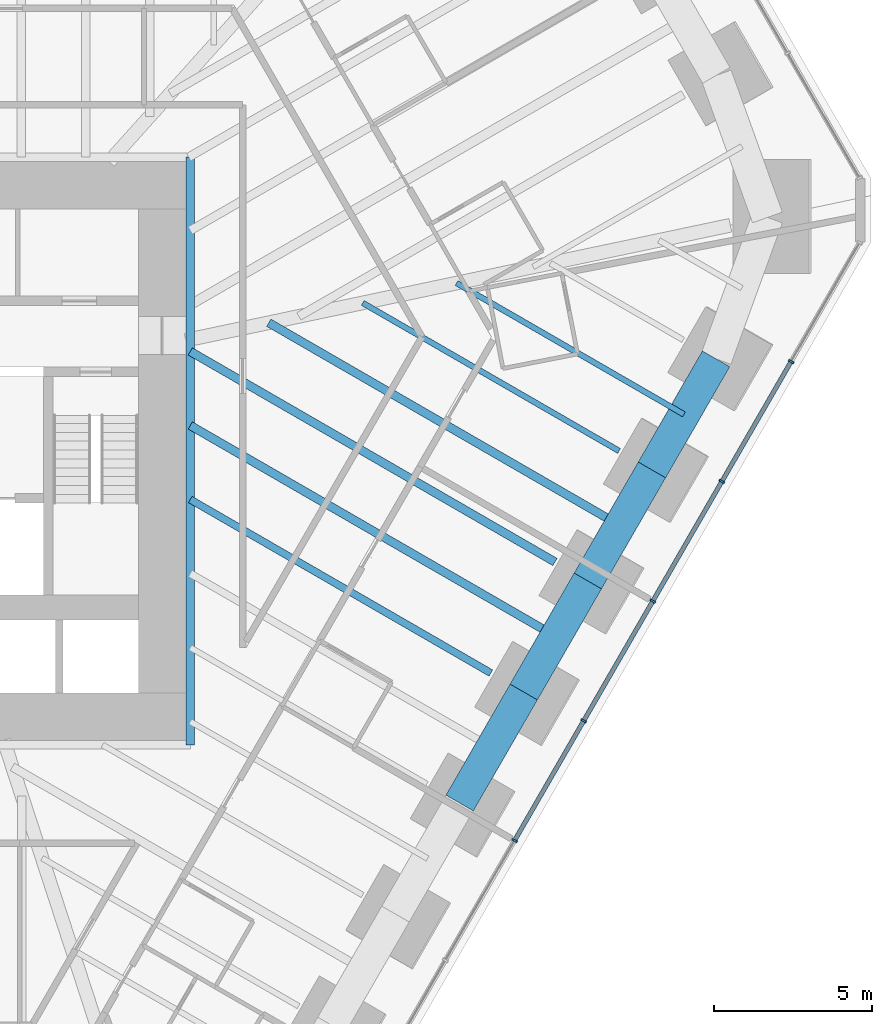
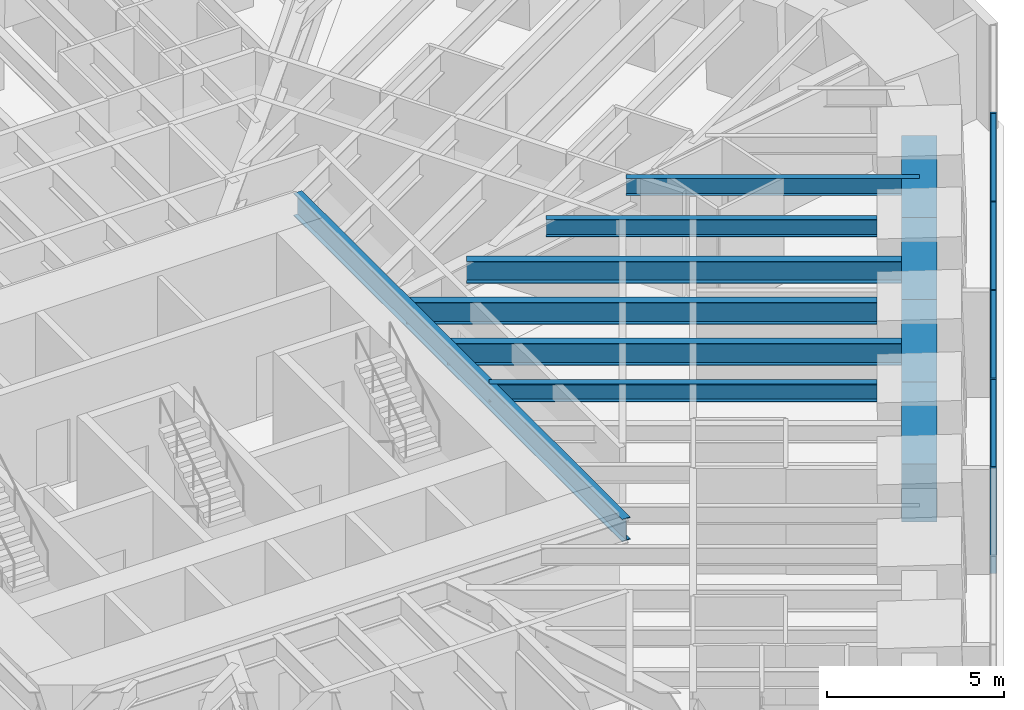
# One storey, part 6 of 17: 11 beams, 9 members, 1 element without a shape of its own.
"""IFC4 building model written with IfcOpenShell, lengths in metres."""

import ifcopenshell
import ifcopenshell.guid

model = None  # the IFC model being written
_history = None  # IfcOwnerHistory: only IFC2X3 demands one
_inside = {}  # id of a spatial element -> (the spatial element, [elements in it])
_under = {}  # id of a project, library or spatial element -> (it, [spatial elements below it])
_declared = {}  # id of a project -> (the project, [libraries it declares])
_typed = {}  # id of a type object -> (the type object, [elements of that type])
_made_of = {}  # id of a material, layer set ... -> (it, [elements and type objects made of it])


def new_model(schema):
    """Start an empty IFC model of exactly this schema.

    Asked for "IFC4X3", IfcOpenShell would pick the latest addendum, in which some entities
    have other attributes; the version numbers below select the first issue.
    IFC2X3 requires an IfcOwnerHistory on every rooted entity: one is made here for all.
    """
    global model, _history
    if schema == "IFC4X3":
        model = ifcopenshell.file(schema_version=(4, 3, 0, 0))
    else:
        model = ifcopenshell.file(schema=schema)
    _inside.clear()
    _under.clear()
    _declared.clear()
    _typed.clear()
    _made_of.clear()
    _history = None
    if model.schema == "IFC2X3":
        org = make("IfcOrganization", Name="unknown")
        user = make(
            "IfcPersonAndOrganization",
            ThePerson=make("IfcPerson", FamilyName="unknown"),
            TheOrganization=org,
        )
        app = make(
            "IfcApplication",
            ApplicationDeveloper=org,
            Version="unknown",
            ApplicationFullName="unknown",
            ApplicationIdentifier="unknown",
        )
        _history = make(
            "IfcOwnerHistory",
            OwningUser=user,
            OwningApplication=app,
            ChangeAction="ADDED",
            CreationDate=0,
        )
    return model


def make(cls, **values):
    """One entity of the class cls with the attributes given. An attribute that is None is left unset."""
    return model.create_entity(
        cls, **{name: value for name, value in values.items() if value is not None}
    )


def rooted(cls, **values):
    """An entity with a GlobalId (a new one), such as an element, a storey or a relation."""
    return make(cls, GlobalId=ifcopenshell.guid.new(), OwnerHistory=_history, **values)


def si_unit(unit_type, name, prefix=None):
    """IfcSIUnit, for example si_unit("LENGTHUNIT", "METRE", prefix="MILLI")."""
    return make("IfcSIUnit", UnitType=unit_type, Prefix=prefix, Name=name)


def assignment(units):
    """IfcUnitAssignment: the units of a project."""
    return None if units is None else make("IfcUnitAssignment", Units=units)


def point(xyz):
    """IfcCartesianPoint."""
    return None if xyz is None else make("IfcCartesianPoint", Coordinates=xyz)


def direction(xyz):
    """IfcDirection."""
    return None if xyz is None else make("IfcDirection", DirectionRatios=xyz)


def frame(location, z_axis=None, x_axis=None):
    """IfcAxis2Placement3D, a coordinate frame: its origin and axes. An axis left out is left unset."""
    return make(
        "IfcAxis2Placement3D",
        Location=point(location),
        Axis=direction(z_axis),
        RefDirection=direction(x_axis),
    )


def frame_2d(location, x_axis=None):
    """IfcAxis2Placement2D, a coordinate frame in the plane: its origin and x axis."""
    return make(
        "IfcAxis2Placement2D", Location=point(location), RefDirection=direction(x_axis)
    )


def origin():
    """The frame at (0, 0, 0) with its axes left unset."""
    return frame((0.0, 0.0, 0.0))


def origin_2d():
    """The frame at (0, 0) in the plane with its x axis left unset."""
    return frame_2d((0.0, 0.0))


def place(relative_to, where):
    """IfcLocalPlacement: puts the frame where relative to a parent placement (None: the world)."""
    return make(
        "IfcLocalPlacement", PlacementRelTo=relative_to, RelativePlacement=where
    )


def context(
    kind, dimensions, precision=None, world=None, true_north=None, identifier=None
):
    """IfcGeometricRepresentationContext, for example the 3D "Model" context."""
    return make(
        "IfcGeometricRepresentationContext",
        ContextIdentifier=identifier,
        ContextType=kind,
        CoordinateSpaceDimension=dimensions,
        Precision=precision,
        WorldCoordinateSystem=world,
        TrueNorth=true_north,
    )


def subcontext(parent, identifier, kind, view, scale=None):
    """IfcGeometricRepresentationSubContext, for example "Body" below "Model"."""
    return make(
        "IfcGeometricRepresentationSubContext",
        ContextIdentifier=identifier,
        ContextType=kind,
        ParentContext=parent,
        TargetScale=scale,
        TargetView=view,
    )


def project(units=None, contexts=None):
    """IfcProject with its units and contexts."""
    return rooted(
        "IfcProject",
        Name="project",
        RepresentationContexts=contexts,
        UnitsInContext=assignment(units),
    )


def spatial(cls, under=None, at=None, **own):
    """A site, building, storey or space (cls), placed at a placement, below another one or the project."""
    s = rooted(cls, ObjectPlacement=at, **own)
    if under is not None:
        _under.setdefault(under.id(), (under, []))[1].append(s)
    return s


def profile(cls, at=None, kind="AREA", **sizes):
    """A parametric profile (cls). Its sizes go by their IFC names, for example OverallWidth=200.0."""
    return make(cls, ProfileType=kind, Position=at, **sizes)


def rectangle(**sizes):
    """IfcRectangleProfileDef."""
    return profile("IfcRectangleProfileDef", **sizes)


def i_section(**sizes):
    """IfcIShapeProfileDef."""
    return profile("IfcIShapeProfileDef", **sizes)


def extrude(swept, where, along, depth):
    """IfcExtrudedAreaSolid: the profile swept, set in the frame where, extruded along a direction by depth."""
    return make(
        "IfcExtrudedAreaSolid",
        SweptArea=swept,
        Position=where,
        ExtrudedDirection=direction(along),
        Depth=depth,
    )


def shape(context_of_items, identifier, shape_type, items):
    """IfcShapeRepresentation: the items that make up one representation, for example the "Body"."""
    return make(
        "IfcShapeRepresentation",
        ContextOfItems=context_of_items,
        RepresentationIdentifier=identifier,
        RepresentationType=shape_type,
        Items=items,
    )


def material(Name=None, Category=None):
    """IfcMaterial."""
    return make("IfcMaterial", Name=Name, Category=Category)


def material_profile(
    of_material, cross_section, Name=None, Category=None, Priority=None
):
    """IfcMaterialProfile: a cross section and its material."""
    return make(
        "IfcMaterialProfile",
        Name=Name,
        Material=of_material,
        Profile=cross_section,
        Priority=Priority,
        Category=Category,
    )


def profile_set(profiles, Name=None, composite=None):
    """IfcMaterialProfileSet."""
    return make(
        "IfcMaterialProfileSet",
        Name=Name,
        MaterialProfiles=profiles,
        CompositeProfile=composite,
    )


def made_of(thing, what):
    """Note that an element or type object is made of a material, layer set ...; save() writes the relation."""
    if what is not None:
        _made_of.setdefault(what.id(), (what, []))[1].append(thing)
    return thing


def type_object(cls, material=None, **own):
    """A type object (cls), such as IfcWallType, which elements share."""
    return made_of(rooted(cls, **own), material)


def element(
    cls,
    number,
    at=None,
    inside=None,
    cuts=None,
    type_object=None,
    material=None,
    context=None,
    identifier="Body",
    shape_type=None,
    held_by="IfcProductDefinitionShape",
    body=None,
    shapes=None,
    **own,
):
    """One element of the class cls, such as IfcWall. Its Tag is "e" and its number.

    at: its placement. inside: the storey or other place that contains it. cuts: it is an
    opening in that element (IfcRelVoidsElement). A single representation is given by context,
    identifier, shape_type and body (its items); several are given by shapes. held_by: the class
    of the entity that holds the representations. save() writes the other relations.
    """
    e = rooted(cls, Tag="e%d" % number, ObjectPlacement=at, **own)
    if body is not None:
        shapes = [shape(context, identifier, shape_type, body)]
    if shapes is not None:
        e.Representation = make(held_by, Representations=shapes)
    if inside is not None:
        _inside.setdefault(inside.id(), (inside, []))[1].append(e)
    if cuts is not None:
        rooted(
            "IfcRelVoidsElement", RelatingBuildingElement=cuts, RelatedOpeningElement=e
        )
    if type_object is not None:
        _typed.setdefault(type_object.id(), (type_object, []))[1].append(e)
    return made_of(e, material)


def aggregate(whole, parts):
    """IfcRelAggregates: a whole, such as a stair, and the parts it consists of."""
    return rooted("IfcRelAggregates", RelatingObject=whole, RelatedObjects=parts)


def save(model, path):
    """Write the relations noted so far, then the file.

    IfcRelAggregates (storeys below a building ...), IfcRelContainedInSpatialStructure (elements
    in a storey), IfcRelDefinesByType, IfcRelAssociatesMaterial and IfcRelDeclares: one each for
    every whole, place, type object, material and project.
    """
    for whole, parts in _under.values():
        aggregate(whole, parts)
    for where, things in _inside.values():
        rooted(
            "IfcRelContainedInSpatialStructure",
            RelatedElements=things,
            RelatingStructure=where,
        )
    for kind, things in _typed.values():
        rooted("IfcRelDefinesByType", RelatedObjects=things, RelatingType=kind)
    for what, things in _made_of.values():
        rooted("IfcRelAssociatesMaterial", RelatedObjects=things, RelatingMaterial=what)
    for by, libraries in _declared.values():
        rooted("IfcRelDeclares", RelatingContext=by, RelatedDefinitions=libraries)
    model.write(path)


model = new_model("IFC4")

# Units and contexts
model_context = context("Model", 3, precision=1e-05, world=origin(), true_north=direction((0.0, 1.0)))
body_context = subcontext(model_context, "Body", "Model", "MODEL_VIEW")
ifc_project = project(units=[si_unit("LENGTHUNIT", "METRE"), si_unit("AREAUNIT", "SQUARE_METRE"), si_unit("VOLUMEUNIT", "CUBIC_METRE"), si_unit("PLANEANGLEUNIT", "RADIAN"), si_unit("MASSUNIT", "GRAM", prefix="KILO")], contexts=[model_context])

# Site, building, storey
site_placement = place(None, origin())
site = spatial("IfcSite", under=ifc_project, at=site_placement, CompositionType="ELEMENT")
building_placement = place(site_placement, origin())
building = spatial("IfcBuilding", under=site, at=building_placement, Name="Sandreach Pilgrim Tower", CompositionType="ELEMENT")
storey_placement = place(building_placement, frame((0.0, 0.0, 76.199951171875)))
storey = spatial("IfcBuildingStorey", under=building, at=storey_placement, Name="L18", CompositionType="ELEMENT", Elevation=76.199951171875)

# Curtain wall, members
ifc_material_1 = material(Name="Aluminium framed curtain wall", Category="aluminium")
curtain_wall_type = type_object("IfcCurtainWallType", Name="Hostel tower curtain wall", PredefinedType="NOTDEFINED", material=ifc_material_1)
curtain_wall_placement = place(storey_placement, origin())
curtain_wall = element("IfcCurtainWall", 1, at=curtain_wall_placement, inside=storey, type_object=curtain_wall_type, Name="CW-1 L18 SE", PredefinedType="NOTDEFINED")
ifc_material_2 = material(Name="Aluminium extrusion", Category="aluminium")
ifc_material_profile_1 = material_profile(ifc_material_2, rectangle(XDim=0.06494140625, YDim=0.179931640625, at=origin_2d()), Name="CW-1M 65X180")
ifc_profile_set_1 = profile_set([ifc_material_profile_1], Name="Aluminium extrusion")
member_type_1 = type_object("IfcMemberType", Name="CW-1 mullion", PredefinedType="MULLION", material=ifc_profile_set_1)
member_1_placement = place(storey_placement, frame((28.390380859375, 1.2763671875, 0.0), z_axis=(0.0, 0.0, 1.0), x_axis=(-0.5, -0.866025403784, 0.0)))
member_1 = element("IfcMember", 2, at=member_1_placement, type_object=member_type_1, Name="CW-1 mullion 2", PredefinedType="MULLION", context=body_context, shape_type="SweptSolid", body=[
    extrude(rectangle(XDim=0.06494140625, YDim=0.179931640625, at=origin_2d()), origin(), (0.0, 0.0, 1.0), 3.64013671875),
])
member_2_placement = place(storey_placement, frame((26.20458984375, -2.509521484375, 0.0), z_axis=(0.0, 0.0, 1.0), x_axis=(-0.5, -0.866025403784, 0.0)))
member_2 = element("IfcMember", 3, at=member_2_placement, type_object=member_type_1, Name="CW-1 mullion 3", PredefinedType="MULLION", context=body_context, shape_type="SweptSolid", body=[
    extrude(rectangle(XDim=0.06494140625, YDim=0.179931640625, at=origin_2d()), origin(), (0.0, 0.0, 1.0), 3.64013671875),
])
member_3_placement = place(storey_placement, frame((24.018798828125, -6.29541015625, 0.0), z_axis=(0.0, 0.0, 1.0), x_axis=(-0.5, -0.866025403784, 0.0)))
member_3 = element("IfcMember", 4, at=member_3_placement, type_object=member_type_1, Name="CW-1 mullion 4", PredefinedType="MULLION", context=body_context, shape_type="SweptSolid", body=[
    extrude(rectangle(XDim=0.06494140625, YDim=0.179931640625, at=origin_2d()), origin(), (0.0, 0.0, 1.0), 3.64013671875),
])
member_4_placement = place(storey_placement, frame((21.8330078125, -10.081298828125, 0.0), z_axis=(0.0, 0.0, 1.0), x_axis=(-0.5, -0.866025403784, 0.0)))
member_4 = element("IfcMember", 5, at=member_4_placement, type_object=member_type_1, Name="CW-1 mullion 5", PredefinedType="MULLION", context=body_context, shape_type="SweptSolid", body=[
    extrude(rectangle(XDim=0.06494140625, YDim=0.179931640625, at=origin_2d()), origin(), (0.0, 0.0, 1.0), 3.64013671875),
])
member_5_placement = place(storey_placement, frame((19.647216796875, -13.8671875, 0.0), z_axis=(0.0, 0.0, 1.0), x_axis=(-0.5, -0.866025403784, 0.0)))
member_5 = element("IfcMember", 6, at=member_5_placement, type_object=member_type_1, Name="CW-1 mullion 6", PredefinedType="MULLION", context=body_context, shape_type="SweptSolid", body=[
    extrude(rectangle(XDim=0.06494140625, YDim=0.179931640625, at=origin_2d()), origin(), (0.0, 0.0, 1.0), 3.64013671875),
])
ifc_material_3 = material(Name="Aluminium extrusion", Category="aluminium")
ifc_material_profile_2 = material_profile(ifc_material_3, rectangle(XDim=0.139892578125, YDim=0.070068359375, at=origin_2d()), Name="CW-1T 140X70")
ifc_profile_set_2 = profile_set([ifc_material_profile_2], Name="Aluminium extrusion")
member_type_2 = type_object("IfcMemberType", Name="CW-1 transom", PredefinedType="USERDEFINED", material=ifc_profile_set_2)
member_6_placement = place(storey_placement, frame((28.374267578125, 1.248046875, 3.60498046875), z_axis=(-0.500016891966, -0.866015650984, 0.0), x_axis=(0.866015650984, -0.500016891966, 0.0)))
member_6 = element("IfcMember", 7, at=member_6_placement, type_object=member_type_2, Name="CW-1 head transom 2", ObjectType="TRANSOM", PredefinedType="USERDEFINED", context=body_context, shape_type="SweptSolid", body=[
    extrude(rectangle(XDim=0.139892578125, YDim=0.070068359375, at=origin_2d()), origin(), (0.0, 0.0, 1.0), 4.306396484375),
])
member_7_placement = place(storey_placement, frame((26.1884765625, -2.537841796875, 3.60498046875), z_axis=(-0.500016891966, -0.866015650984, 0.0), x_axis=(0.866015650984, -0.500016891966, 0.0)))
member_7 = element("IfcMember", 8, at=member_7_placement, type_object=member_type_2, Name="CW-1 head transom 3", ObjectType="TRANSOM", PredefinedType="USERDEFINED", context=body_context, shape_type="SweptSolid", body=[
    extrude(rectangle(XDim=0.139892578125, YDim=0.070068359375, at=origin_2d()), origin(), (0.0, 0.0, 1.0), 4.306396484375),
])
member_8_placement = place(storey_placement, frame((24.002685546875, -6.32373046875, 3.60498046875), z_axis=(-0.500016891966, -0.866015650984, 0.0), x_axis=(0.866015650984, -0.500016891966, 0.0)))
member_8 = element("IfcMember", 9, at=member_8_placement, type_object=member_type_2, Name="CW-1 head transom 4", ObjectType="TRANSOM", PredefinedType="USERDEFINED", context=body_context, shape_type="SweptSolid", body=[
    extrude(rectangle(XDim=0.139892578125, YDim=0.070068359375, at=origin_2d()), origin(), (0.0, 0.0, 1.0), 4.306396484375),
])
member_9_placement = place(storey_placement, frame((21.81689453125, -10.109619140625, 3.60498046875), z_axis=(-0.500016891966, -0.866015650984, 0.0), x_axis=(0.866015650984, -0.500016891966, 0.0)))
member_9 = element("IfcMember", 10, at=member_9_placement, type_object=member_type_2, Name="CW-1 head transom 5", ObjectType="TRANSOM", PredefinedType="USERDEFINED", context=body_context, shape_type="SweptSolid", body=[
    extrude(rectangle(XDim=0.139892578125, YDim=0.070068359375, at=origin_2d()), origin(), (0.0, 0.0, 1.0), 4.306396484375),
])
aggregate(curtain_wall, [member_1, member_2, member_3, member_4, member_5, member_6, member_7, member_8, member_9])

# Beams
ifc_material_4 = material(Name="Steel ASTM A992 Grade 50", Category="steel")
ifc_material_profile_3 = material_profile(ifc_material_4, i_section(OverallWidth=0.2666015625, OverallDepth=0.77978515625, WebThickness=0.0166015625, FlangeThickness=0.030029296875, at=origin_2d()), Name="W30X148")
ifc_profile_set_3 = profile_set([ifc_material_profile_3], Name="Steel ASTM A992 Grade 50")
beam_type_1 = type_object("IfcBeamType", Name="Core edge beam W30X148", PredefinedType="BEAM", material=ifc_profile_set_3)
beam_1_placement = place(storey_placement, frame((9.393310546875, 7.743408203125, 3.250244140625), z_axis=(0.0, -1.0, 0.0), x_axis=(1.0, 0.0, 0.0)))
element("IfcBeam", 11, at=beam_1_placement, inside=storey, type_object=beam_type_1, Name="BM L18 CEE", PredefinedType="BEAM", context=body_context, shape_type="SweptSolid", body=[
    extrude(i_section(OverallWidth=0.2666015625, OverallDepth=0.77978515625, WebThickness=0.0166015625, FlangeThickness=0.030029296875, at=origin_2d()), origin(), (0.0, 0.0, 1.0), 18.586669921875),
])
ifc_material_5 = material(Name="Steel ASTM A992 Grade 50", Category="steel")
ifc_material_profile_4 = material_profile(ifc_material_5, i_section(OverallWidth=0.1787109375, OverallDepth=0.60205078125, WebThickness=0.010986328125, FlangeThickness=0.014892578125, at=origin_2d()), Name="W24X62")
ifc_profile_set_4 = profile_set([ifc_material_profile_4], Name="Steel ASTM A992 Grade 50")
beam_type_2 = type_object("IfcBeamType", Name="Floor beam W24X62", PredefinedType="BEAM", material=ifc_profile_set_4)
beam_2_placement = place(storey_placement, frame((22.952392578125, -1.54736328125, 3.339111328125), z_axis=(-0.866024919851, 0.500000838196, 0.0), x_axis=(-0.500000838196, -0.866024919851, 0.0)))
element("IfcBeam", 12, at=beam_2_placement, inside=storey, type_object=beam_type_2, Name="BM L18 F15", PredefinedType="BEAM", context=body_context, shape_type="SweptSolid", body=[
    extrude(i_section(OverallWidth=0.1787109375, OverallDepth=0.60205078125, WebThickness=0.010986328125, FlangeThickness=0.014892578125, at=origin_2d()), origin(), (0.0, 0.0, 1.0), 9.36279296875),
])
beam_3_placement = place(storey_placement, frame((25.00537109375, -0.3916015625, 3.339111328125), z_axis=(-0.86602208059, 0.500005755898, 0.0), x_axis=(-0.500005755898, -0.86602208059, 0.0)))
element("IfcBeam", 13, at=beam_3_placement, inside=storey, type_object=beam_type_2, Name="BM L18 FM14", PredefinedType="BEAM", context=body_context, shape_type="SweptSolid", body=[
    extrude(i_section(OverallWidth=0.1787109375, OverallDepth=0.60205078125, WebThickness=0.010986328125, FlangeThickness=0.014892578125, at=origin_2d()), origin(), (0.0, 0.0, 1.0), 8.30517578125),
])
ifc_material_6 = material(Name="Steel ASTM A992 Grade 50", Category="steel")
ifc_material_profile_5 = material_profile(ifc_material_6, i_section(OverallWidth=0.23046875, OverallDepth=0.6171875, WebThickness=0.01318359375, FlangeThickness=0.022216796875, at=origin_2d()), Name="W24X94")
ifc_profile_set_5 = profile_set([ifc_material_profile_5], Name="Steel ASTM A992 Grade 50")
beam_type_3 = type_object("IfcBeamType", Name="Floor beam W24X94", PredefinedType="BEAM", material=ifc_profile_set_5)
beam_4_placement = place(storey_placement, frame((18.89794921875, -8.56982421875, 3.33154296875), z_axis=(-0.86602370202, 0.50000294753, 0.0), x_axis=(-0.50000294753, -0.86602370202, 0.0)))
element("IfcBeam", 14, at=beam_4_placement, inside=storey, type_object=beam_type_3, Name="BM L18 F17", PredefinedType="BEAM", context=body_context, shape_type="SweptSolid", body=[
    extrude(i_section(OverallWidth=0.23046875, OverallDepth=0.6171875, WebThickness=0.01318359375, FlangeThickness=0.022216796875, at=origin_2d()), origin(), (0.0, 0.0, 1.0), 10.97509765625),
])
ifc_material_7 = material(Name="Steel ASTM A992 Grade 50", Category="steel")
ifc_material_profile_6 = material_profile(ifc_material_7, i_section(OverallWidth=0.2666015625, OverallDepth=0.761962890625, WebThickness=0.014404296875, FlangeThickness=0.021484375, at=origin_2d()), Name="W30X116")
ifc_profile_set_6 = profile_set([ifc_material_profile_6], Name="Steel ASTM A992 Grade 50")
beam_type_4 = type_object("IfcBeamType", Name="Floor beam W30X116", PredefinedType="BEAM", material=ifc_profile_set_6)
beam_5_placement = place(storey_placement, frame((20.92529296875, -5.05859375, 3.259033203125), z_axis=(-0.866026514971, 0.499998075363, 0.0), x_axis=(-0.499998075363, -0.866026514971, 0.0)))
element("IfcBeam", 15, at=beam_5_placement, inside=storey, type_object=beam_type_4, Name="BM L18 F16", PredefinedType="BEAM", context=body_context, shape_type="SweptSolid", body=[
    extrude(i_section(OverallWidth=0.2666015625, OverallDepth=0.761962890625, WebThickness=0.014404296875, FlangeThickness=0.021484375, at=origin_2d()), origin(), (0.0, 0.0, 1.0), 13.31591796875),
])
beam_6_placement = place(storey_placement, frame((22.97802734375, -3.90283203125, 3.259033203125), z_axis=(-0.866026708223, 0.49999774064, 0.0), x_axis=(-0.49999774064, -0.866026708223, 0.0)))
element("IfcBeam", 16, at=beam_6_placement, inside=storey, type_object=beam_type_4, Name="BM L18 FM15", PredefinedType="BEAM", context=body_context, shape_type="SweptSolid", body=[
    extrude(i_section(OverallWidth=0.2666015625, OverallDepth=0.761962890625, WebThickness=0.014404296875, FlangeThickness=0.021484375, at=origin_2d()), origin(), (0.0, 0.0, 1.0), 12.8203125),
])
beam_7_placement = place(storey_placement, frame((20.95068359375, -7.414306640625, 3.259033203125), z_axis=(-0.86601894286, 0.500011190482, 0.0), x_axis=(-0.500011190482, -0.86601894286, 0.0)))
element("IfcBeam", 17, at=beam_7_placement, inside=storey, type_object=beam_type_4, Name="BM L18 FM16", PredefinedType="BEAM", context=body_context, shape_type="SweptSolid", body=[
    extrude(i_section(OverallWidth=0.2666015625, OverallDepth=0.761962890625, WebThickness=0.014404296875, FlangeThickness=0.021484375, at=origin_2d()), origin(), (0.0, 0.0, 1.0), 13.345458984375),
])
ifc_material_8 = material(Name="Concrete 10000 psi", Category="concrete")
ifc_material_profile_7 = material_profile(ifc_material_8, rectangle(XDim=1.0, YDim=2.0, at=origin_2d()), Name="RC1000X2000")
ifc_profile_set_7 = profile_set([ifc_material_profile_7], Name="Concrete 10000 psi")
beam_type_5 = type_object("IfcBeamType", Name="Spandrel beam RC1000X2000", PredefinedType="SPANDREL", material=ifc_profile_set_7)
beam_8_placement = place(storey_placement, frame((26.018798828125, 1.364013671875, 2.64013671875), z_axis=(-0.499979605739, -0.866037178096, 0.0), x_axis=(0.866037178096, -0.499979605739, 0.0)))
element("IfcBeam", 18, at=beam_8_placement, inside=storey, type_object=beam_type_5, Name="BM L18 SP14", PredefinedType="SPANDREL", context=body_context, shape_type="SweptSolid", body=[
    extrude(rectangle(XDim=1.0, YDim=2.0, at=origin_2d()), origin(), (0.0, 0.0, 1.0), 4.054443359375),
])
beam_9_placement = place(storey_placement, frame((23.99169921875, -2.147216796875, 2.64013671875), z_axis=(-0.499998693927, -0.866026157845, 0.0), x_axis=(0.866026157845, -0.499998693927, 0.0)))
element("IfcBeam", 19, at=beam_9_placement, inside=storey, type_object=beam_type_5, Name="BM L18 SP15", PredefinedType="SPANDREL", context=body_context, shape_type="SweptSolid", body=[
    extrude(rectangle(XDim=1.0, YDim=2.0, at=origin_2d()), origin(), (0.0, 0.0, 1.0), 4.0546875),
])
for number, where, z_axis, x_axis, name in (
    (20, (21.96435546875, -5.65869140625, 2.64013671875), (-0.499979605739, -0.866037178096, 0.0), (0.866037178096, -0.499979605739, 0.0), "BM L18 SP16"),
    (21, (19.937255859375, -9.169921875, 2.64013671875), (-0.500024767483, -0.866011103799, 0.0), (0.866011103799, -0.500024767483, 0.0), "BM L18 SP17"),
):
    element("IfcBeam", number, at=place(storey_placement, frame(where, z_axis=z_axis, x_axis=x_axis)), inside=storey, type_object=beam_type_5, Name=name, PredefinedType="SPANDREL", context=body_context, shape_type="SweptSolid", body=[
        extrude(rectangle(XDim=1.0, YDim=2.0, at=origin_2d()), origin(), (0.0, 0.0, 1.0), 4.054443359375),
    ])

save(model, "model.ifc")
